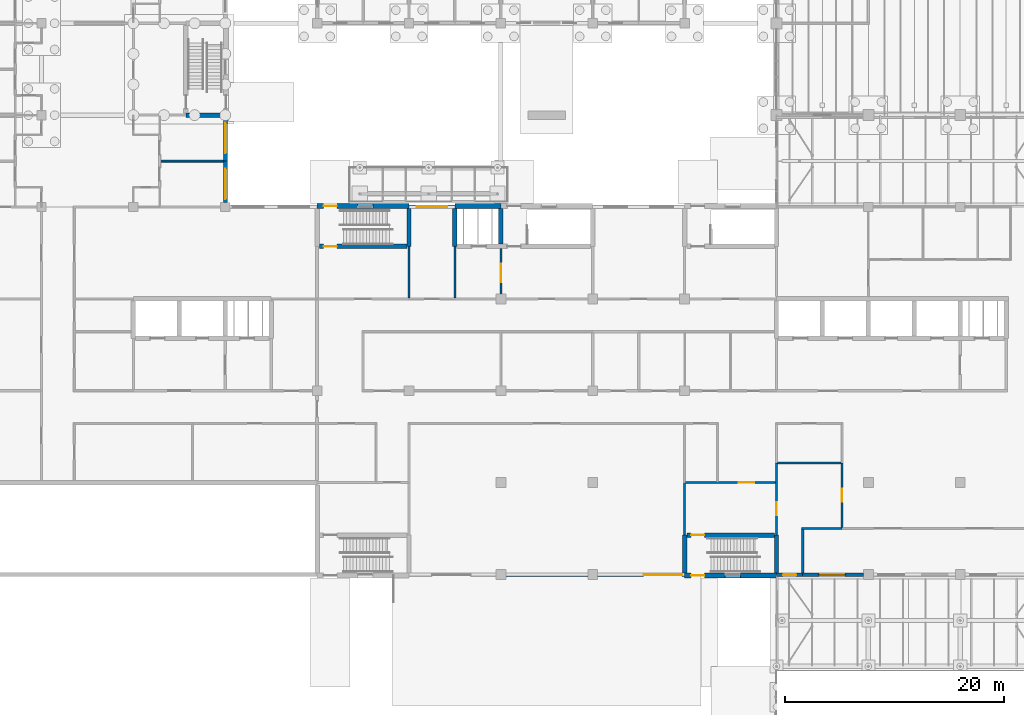
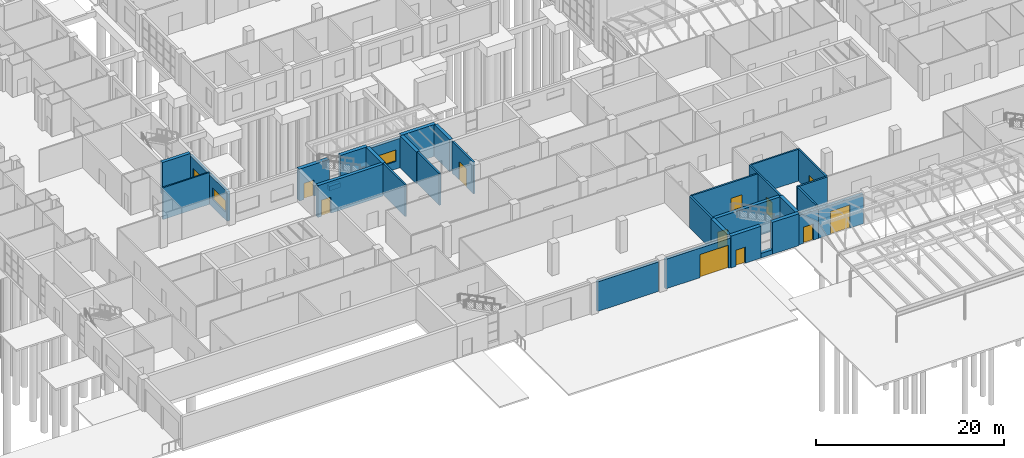
# One storey, part 97 of 138: 33 walls, 11 doors, 3 windows, 14 openings.
"""IFC4 building model written with IfcOpenShell, lengths in metres."""

from ifc_helpers import new_model, si_unit, direction, frame, frame_2d, origin, place, context, subcontext, project, spatial, rectangle, extrude, material, layer, layer_set, type_object, element, fill, save


model = new_model("IFC4")

# Units and contexts
model_context = context("Model", 3, precision=1e-05, world=origin(), true_north=direction((0.0, 1.0)))
body_context = subcontext(model_context, "Body", "Model", "MODEL_VIEW")
ifc_project = project(units=[si_unit("LENGTHUNIT", "METRE"), si_unit("AREAUNIT", "SQUARE_METRE"), si_unit("VOLUMEUNIT", "CUBIC_METRE"), si_unit("PLANEANGLEUNIT", "RADIAN"), si_unit("MASSUNIT", "GRAM", prefix="KILO")], contexts=[model_context])

# Site, building, storey
site_placement = place(None, origin())
site = spatial("IfcSite", under=ifc_project, at=site_placement, CompositionType="ELEMENT")
building_placement = place(site_placement, origin())
building = spatial("IfcBuilding", under=site, at=building_placement, Name="Yavir Park General Hospital", CompositionType="ELEMENT")
storey_placement = place(building_placement, origin())
storey = spatial("IfcBuildingStorey", under=building, at=storey_placement, Name="L00", CompositionType="ELEMENT", Elevation=0.0)

# Walls
ifc_material_1 = material(Name="Double-leaf gypsum board acoustic partition on staggered studs")
ifc_layer_1 = layer(ifc_material_1, 0.175048828125)
ifc_layer_set_1 = layer_set([ifc_layer_1], Name="Double-leaf gypsum board acoustic partition on staggered studs")
wall_type_1 = type_object("IfcWallType", Name="Acoustic partition 175", PredefinedType="PARTITIONING", material=ifc_layer_set_1)
wall_1_placement = place(storey_placement, frame((19.28759765625, 37.800048828125, 0.0), z_axis=(0.0, 0.0, 1.0), x_axis=(1.0, 0.0, 0.0)))
element("IfcWall", 1, at=wall_1_placement, inside=storey, type_object=wall_type_1, Name="AP175 L00-100", PredefinedType="PARTITIONING", context=body_context, shape_type="SweptSolid", body=[
    extrude(rectangle(XDim=5.762451171875, YDim=0.175048828125, at=frame_2d((2.88134765625, 0.0))), origin(), (0.0, 0.0, 1.0), 4.139892578125),
])
ifc_material_2 = material(Name="Double gypsum board fire partition on steel studs", Category="steel")
ifc_layer_2 = layer(ifc_material_2, 0.199951171875)
ifc_layer_set_2 = layer_set([ifc_layer_2], Name="Double gypsum board fire partition on steel studs")
wall_type_2 = type_object("IfcWallType", Name="Fire-rated partition 200, EI 60", PredefinedType="PARTITIONING", material=ifc_layer_set_2)
wall_2_placement = place(storey_placement, frame((77.89990234375, 4.199951171875, 0.0), z_axis=(0.0, 0.0, 1.0), x_axis=(1.0, 0.0, 0.0)))
element("IfcWall", 2, at=wall_2_placement, inside=storey, type_object=wall_type_2, Name="FP20 L00-005", PredefinedType="PARTITIONING", context=body_context, shape_type="SweptSolid", body=[
    extrude(rectangle(XDim=3.7001953125, YDim=0.199951171875, at=frame_2d((1.85009765625, 0.0))), origin(), (0.0, 0.0, 1.0), 4.139892578125),
])

# Wall, opening, door
wall_3_placement = place(storey_placement, frame((67.300048828125, 8.39990234375, 0.0), z_axis=(0.0, 0.0, 1.0), x_axis=(1.0, 0.0, 0.0)))
wall_3 = element("IfcWall", 3, at=wall_3_placement, inside=storey, type_object=wall_type_2, Name="FP20 L00-010", PredefinedType="PARTITIONING", context=body_context, shape_type="SweptSolid", body=[
    extrude(rectangle(XDim=8.199951171875, YDim=0.199951171875, at=frame_2d((4.10009765625, 0.0))), origin(), (0.0, 0.0, 1.0), 4.139892578125),
])
opening_1_placement = place(wall_3_placement, frame((4.85009765625, 0.0, 0.0)))
opening_1 = element("IfcOpeningElement", 4, at=opening_1_placement, cuts=wall_3, Name="Opening L00.D009", PredefinedType="OPENING", context=body_context, shape_type="SweptSolid", body=[
    extrude(rectangle(XDim=1.39990234375, YDim=2.10009765625, at=frame_2d((0.699951171875, 1.050048828125))), frame((0.0, 0.10986328125, 0.0), z_axis=(0.0, -1.0, 0.0), x_axis=(1.0, 0.0, 0.0)), (0.0, 0.0, 1.0), 0.219970703125),
])
ifc_material_3 = material(Name="Steel frame, fire-resisting leaves with vision panels", Category="steel")
door_type_1 = type_object("IfcDoorType", Name="Double fire door with vision panels 1400 x 2100, EI 60", OperationType="DOUBLE_DOOR_SINGLE_SWING", PredefinedType="DOOR", material=ifc_material_3)
door_1_placement = place(opening_1_placement, origin())
door_1 = element("IfcDoor", 5, at=door_1_placement, inside=storey, type_object=door_type_1, Name="L00.D009", OperationType="SINGLE_SWING_RIGHT", OverallHeight=2.10009765625, OverallWidth=1.39990234375, PredefinedType="DOOR", context=body_context, shape_type="SweptSolid", body=[
    extrude(rectangle(XDim=1.39990234375, YDim=2.10009765625, at=frame_2d((0.699951171875, 1.050048828125))), frame((0.0, 0.030029296875, 0.0), z_axis=(0.0, -1.0, 0.0), x_axis=(1.0, 0.0, 0.0)), (0.0, 0.0, 1.0), 0.06005859375),
])
fill(opening_1, door_1)

# Walls
wall_4_placement = place(storey_placement, frame((75.699951171875, 10.199951171875, 0.0), z_axis=(0.0, 0.0, 1.0), x_axis=(1.0, 0.0, 0.0)))
element("IfcWall", 6, at=wall_4_placement, inside=storey, type_object=wall_type_2, Name="FP20 L00-023", PredefinedType="PARTITIONING", context=body_context, shape_type="SweptSolid", body=[
    extrude(rectangle(XDim=5.800048828125, YDim=0.199951171875, at=frame_2d((2.89990234375, 0.0))), origin(), (0.0, 0.0, 1.0), 4.139892578125),
])
for number, where, z_axis, x_axis, name in (
    (7, (42.0, 25.300048828125, 0.0), (0.0, 0.0, 1.0), (0.0, 1.0, 0.0), "FP20 L00-358"),
    (8, (46.199951171875, 25.300048828125, 0.0), (0.0, 0.0, 1.0), (0.0, 1.0, 0.0), "FP20 L00-364"),
):
    element("IfcWall", number, at=place(storey_placement, frame(where, z_axis=z_axis, x_axis=x_axis)), inside=storey, type_object=wall_type_2, Name=name, PredefinedType="PARTITIONING", context=body_context, shape_type="SweptSolid", body=[
        extrude(rectangle(XDim=4.699951171875, YDim=0.199951171875, at=frame_2d((2.35009765625, 0.0))), origin(), (0.0, 0.0, 1.0), 4.139892578125),
    ])

# Wall, opening, door
wall_5_placement = place(storey_placement, frame((50.39990234375, 25.300048828125, 0.0), z_axis=(0.0, 0.0, 1.0), x_axis=(0.0, 1.0, 0.0)))
wall_5 = element("IfcWall", 9, at=wall_5_placement, inside=storey, type_object=wall_type_2, Name="FP20 L00-369", PredefinedType="PARTITIONING", context=body_context, shape_type="SweptSolid", body=[
    extrude(rectangle(XDim=4.5, YDim=0.199951171875, at=frame_2d((2.25, 0.0))), origin(), (0.0, 0.0, 1.0), 4.139892578125),
])
opening_2_placement = place(wall_5_placement, frame((1.39990234375, 0.0, 0.0)))
opening_2 = element("IfcOpeningElement", 10, at=opening_2_placement, cuts=wall_5, Name="Opening L00.D195", PredefinedType="OPENING", context=body_context, shape_type="SweptSolid", body=[
    extrude(rectangle(XDim=1.699951171875, YDim=2.39990234375, at=frame_2d((0.85009765625, 1.199951171875))), frame((0.0, 0.10986328125, 0.0), z_axis=(0.0, -1.0, 0.0), x_axis=(1.0, 0.0, 0.0)), (0.0, 0.0, 1.0), 0.219970703125),
])
ifc_material_4 = material(Name="Steel frame, fire-resisting timber leaves", Category="steel")
door_type_2 = type_object("IfcDoorType", Name="Double fire door 1700 x 2400, EI 60", OperationType="DOUBLE_DOOR_SINGLE_SWING", PredefinedType="DOOR", material=ifc_material_4)
door_2_placement = place(opening_2_placement, origin())
door_2 = element("IfcDoor", 11, at=door_2_placement, inside=storey, type_object=door_type_2, Name="L00.D195", OperationType="SINGLE_SWING_LEFT", OverallHeight=2.39990234375, OverallWidth=1.699951171875, PredefinedType="DOOR", context=body_context, shape_type="SweptSolid", body=[
    extrude(rectangle(XDim=1.699951171875, YDim=2.39990234375, at=frame_2d((0.85009765625, 1.199951171875))), frame((0.0, 0.02490234375, 0.0), z_axis=(0.0, -1.0, 0.0), x_axis=(1.0, 0.0, 0.0)), (0.0, 0.0, 1.0), 0.050048828125),
])
fill(opening_2, door_2)

# Wall
wall_6_placement = place(storey_placement, frame((67.199951171875, 3.60009765625, 0.0), z_axis=(0.0, 0.0, 1.0), x_axis=(0.0, 1.0, 0.0)))
element("IfcWall", 12, at=wall_6_placement, inside=storey, type_object=wall_type_2, Name="FP20 L00-384", PredefinedType="PARTITIONING", context=body_context, shape_type="SweptSolid", body=[
    extrude(rectangle(XDim=4.7998046875, YDim=0.199951171875, at=frame_2d((2.39990234375, 0.0))), origin(), (0.0, 0.0, 1.0), 4.139892578125),
])

# Wall, opening, door
wall_7_placement = place(storey_placement, frame((75.60009765625, 3.60009765625, 0.0), z_axis=(0.0, 0.0, 1.0), x_axis=(0.0, 1.0, 0.0)))
wall_7 = element("IfcWall", 13, at=wall_7_placement, inside=storey, type_object=wall_type_2, Name="FP20 L00-393", PredefinedType="PARTITIONING", context=body_context, shape_type="SweptSolid", body=[
    extrude(rectangle(XDim=6.599853515625, YDim=0.199951171875, at=frame_2d((3.2998046875, 0.0))), origin(), (0.0, 0.0, 1.0), 4.139892578125),
])
opening_3_placement = place(wall_7_placement, frame((1.800048828125, 0.0, 0.0)))
opening_3 = element("IfcOpeningElement", 14, at=opening_3_placement, cuts=wall_7, Name="Opening L00.D197", PredefinedType="OPENING", context=body_context, shape_type="SweptSolid", body=[
    extrude(rectangle(XDim=1.199951171875, YDim=2.10009765625, at=frame_2d((0.60009765625, 1.050048828125))), frame((0.0, 0.10986328125, 0.0), z_axis=(0.0, -1.0, 0.0), x_axis=(1.0, 0.0, 0.0)), (0.0, 0.0, 1.0), 0.219970703125),
])
ifc_material_5 = material(Name="Steel frame, fire-resisting timber leaf", Category="steel")
door_type_3 = type_object("IfcDoorType", Name="Fire door 1200 x 2100, EI 60", OperationType="SINGLE_SWING_LEFT", PredefinedType="DOOR", material=ifc_material_5)
door_3_placement = place(opening_3_placement, origin())
door_3 = element("IfcDoor", 15, at=door_3_placement, inside=storey, type_object=door_type_3, Name="L00.D197", OperationType="SINGLE_SWING_LEFT", OverallHeight=2.10009765625, OverallWidth=1.199951171875, PredefinedType="DOOR", context=body_context, shape_type="SweptSolid", body=[
    extrude(rectangle(XDim=1.199951171875, YDim=2.10009765625, at=frame_2d((0.60009765625, 1.050048828125))), frame((0.0, 0.02490234375, 0.0), z_axis=(0.0, -1.0, 0.0), x_axis=(1.0, 0.0, 0.0)), (0.0, 0.0, 1.0), 0.050048828125),
])
fill(opening_3, door_3)

# Wall
wall_8_placement = place(storey_placement, frame((78.0, 0.14990234375, 0.0), z_axis=(0.0, 0.0, 1.0), x_axis=(0.0, 1.0, 0.0)))
element("IfcWall", 16, at=wall_8_placement, inside=storey, type_object=wall_type_2, Name="FP20 L00-400", PredefinedType="PARTITIONING", context=body_context, shape_type="SweptSolid", body=[
    extrude(rectangle(XDim=3.9501953125, YDim=0.199951171875, at=frame_2d((1.97509765625, 0.0))), origin(), (0.0, 0.0, 1.0), 4.139892578125),
])

# Wall, opening, door
wall_9_placement = place(storey_placement, frame((81.60009765625, 4.300048828125, 0.0), z_axis=(0.0, 0.0, 1.0), x_axis=(0.0, 1.0, 0.0)))
wall_9 = element("IfcWall", 17, at=wall_9_placement, inside=storey, type_object=wall_type_2, Name="FP20 L00-402", PredefinedType="PARTITIONING", context=body_context, shape_type="SweptSolid", body=[
    extrude(rectangle(XDim=5.89990234375, YDim=0.199951171875, at=frame_2d((2.949951171875, 0.0))), origin(), (0.0, 0.0, 1.0), 4.139892578125),
])
opening_4_placement = place(wall_9_placement, frame((2.35009765625, 0.0, 0.0)))
opening_4 = element("IfcOpeningElement", 18, at=opening_4_placement, cuts=wall_9, Name="Opening L00.D200", PredefinedType="OPENING", context=body_context, shape_type="SweptSolid", body=[
    extrude(rectangle(XDim=1.199951171875, YDim=2.10009765625, at=frame_2d((0.60009765625, 1.050048828125))), frame((0.0, 0.10986328125, 0.0), z_axis=(0.0, -1.0, 0.0), x_axis=(1.0, 0.0, 0.0)), (0.0, 0.0, 1.0), 0.219970703125),
])
door_4_placement = place(opening_4_placement, origin())
door_4 = element("IfcDoor", 19, at=door_4_placement, inside=storey, type_object=door_type_3, Name="L00.D200", OperationType="SINGLE_SWING_LEFT", OverallHeight=2.10009765625, OverallWidth=1.199951171875, PredefinedType="DOOR", context=body_context, shape_type="SweptSolid", body=[
    extrude(rectangle(XDim=1.199951171875, YDim=2.10009765625, at=frame_2d((0.60009765625, 1.050048828125))), frame((0.0, 0.02490234375, 0.0), z_axis=(0.0, -1.0, 0.0), x_axis=(1.0, 0.0, 0.0)), (0.0, 0.0, 1.0), 0.050048828125),
])
fill(opening_4, door_4)

# Wall
ifc_material_6 = material(Name="Concrete C30/37 precast panel with 120 mm mineral wool insulation", Category="concrete")
ifc_layer_3 = layer(ifc_material_6, 0.35009765625)
ifc_layer_set_3 = layer_set([ifc_layer_3], Name="Concrete C30/37 precast panel with 120 mm mineral wool insulation")
wall_type_3 = type_object("IfcWallType", Name="Precast cladding panel podium wall 350, E 30", PredefinedType="SOLIDWALL", material=ifc_layer_set_3)
wall_10_placement = place(storey_placement, frame((50.85009765625, -0.02490234375, 0.0), z_axis=(0.0, 0.0, 1.0), x_axis=(1.0, 0.0, 0.0)))
element("IfcWall", 20, at=wall_10_placement, inside=storey, type_object=wall_type_3, Name="XW2 L00-005", PredefinedType="SOLIDWALL", context=body_context, shape_type="SweptSolid", body=[
    extrude(rectangle(XDim=7.5, YDim=0.35009765625, at=frame_2d((3.75, 0.0))), origin(), (0.0, 0.0, 1.0), 3.840087890625),
])

# Wall, opening, door
wall_11_placement = place(storey_placement, frame((59.25, -0.02490234375, 0.0), z_axis=(0.0, 0.0, 1.0), x_axis=(1.0, 0.0, 0.0)))
wall_11 = element("IfcWall", 21, at=wall_11_placement, inside=storey, type_object=wall_type_3, Name="XW2 L00-006", PredefinedType="SOLIDWALL", context=body_context, shape_type="SweptSolid", body=[
    extrude(rectangle(XDim=7.949951171875, YDim=0.35009765625, at=frame_2d((3.97509765625, 0.0))), origin(), (0.0, 0.0, 1.0), 3.840087890625),
])
opening_5_placement = place(wall_11_placement, frame((4.21240234375, 0.0, 0.0)))
opening_5 = element("IfcOpeningElement", 22, at=opening_5_placement, cuts=wall_11, Name="Opening L00.X03", PredefinedType="OPENING", context=body_context, shape_type="SweptSolid", body=[
    extrude(rectangle(XDim=3.5, YDim=3.0, at=frame_2d((1.75, 1.5))), frame((0.0, 0.18505859375, 0.0), z_axis=(0.0, -1.0, 0.0), x_axis=(1.0, 0.0, 0.0)), (0.0, 0.0, 1.0), 0.3701171875),
])
ifc_material_7 = material(Name="Insulated steel slat roller shutter", Category="steel")
door_type_4 = type_object("IfcDoorType", Name="Roller shutter gate 3500 x 3000", OperationType="ROLLINGUP", PredefinedType="GATE", material=ifc_material_7)
door_5_placement = place(opening_5_placement, frame((3.5, 0.0, 0.0), x_axis=(-1.0, 0.0, 0.0)))
door_5 = element("IfcDoor", 23, at=door_5_placement, inside=storey, type_object=door_type_4, Name="L00.X03", OperationType="ROLLINGUP", OverallHeight=3.0, OverallWidth=3.5, PredefinedType="GATE", context=body_context, shape_type="SweptSolid", body=[
    extrude(rectangle(XDim=3.5, YDim=3.0, at=frame_2d((1.75, 1.5))), frame((0.0, 0.02490234375, 0.0), z_axis=(0.0, -1.0, 0.0), x_axis=(1.0, 0.0, 0.0)), (0.0, 0.0, 1.0), 0.050048828125),
])
fill(opening_5, door_5)

wall_12_placement = place(storey_placement, frame((75.60009765625, -0.02490234375, 0.0), z_axis=(0.0, 0.0, 1.0), x_axis=(1.0, 0.0, 0.0)))
wall_12 = element("IfcWall", 24, at=wall_12_placement, inside=storey, type_object=wall_type_3, Name="XW2 L00-010", PredefinedType="SOLIDWALL", context=body_context, shape_type="SweptSolid", body=[
    extrude(rectangle(XDim=2.39990234375, YDim=0.35009765625, at=frame_2d((1.199951171875, 0.0))), origin(), (0.0, 0.0, 1.0), 3.840087890625),
])
opening_6_placement = place(wall_12_placement, frame((0.60009765625, 0.0, 0.0)))
opening_6 = element("IfcOpeningElement", 25, at=opening_6_placement, cuts=wall_12, Name="Opening L00.X05", PredefinedType="OPENING", context=body_context, shape_type="SweptSolid", body=[
    extrude(rectangle(XDim=1.199951171875, YDim=2.10009765625, at=frame_2d((0.60009765625, 1.050048828125))), frame((0.0, 0.18505859375, 0.0), z_axis=(0.0, -1.0, 0.0), x_axis=(1.0, 0.0, 0.0)), (0.0, 0.0, 1.0), 0.3701171875),
])
door_6_placement = place(opening_6_placement, frame((1.199951171875, 0.0, 0.0), x_axis=(-1.0, 0.0, 0.0)))
door_6 = element("IfcDoor", 26, at=door_6_placement, inside=storey, type_object=door_type_3, Name="L00.X05", OperationType="SINGLE_SWING_RIGHT", OverallHeight=2.10009765625, OverallWidth=1.199951171875, PredefinedType="DOOR", context=body_context, shape_type="SweptSolid", body=[
    extrude(rectangle(XDim=1.199951171875, YDim=2.10009765625, at=frame_2d((0.60009765625, 1.050048828125))), frame((0.0, 0.02490234375, 0.0), z_axis=(0.0, -1.0, 0.0), x_axis=(1.0, 0.0, 0.0)), (0.0, 0.0, 1.0), 0.050048828125),
])
fill(opening_6, door_6)

wall_13_placement = place(storey_placement, frame((78.0, -0.02490234375, 0.0), z_axis=(0.0, 0.0, 1.0), x_axis=(1.0, 0.0, 0.0)))
wall_13 = element("IfcWall", 27, at=wall_13_placement, inside=storey, type_object=wall_type_3, Name="XW2 L00-011", PredefinedType="SOLIDWALL", context=body_context, shape_type="SweptSolid", body=[
    extrude(rectangle(XDim=5.550048828125, YDim=0.35009765625, at=frame_2d((2.77490234375, 0.0))), origin(), (0.0, 0.0, 1.0), 3.840087890625),
])
opening_7_placement = place(wall_13_placement, frame((1.47509765625, 0.0, 0.0)))
opening_7 = element("IfcOpeningElement", 28, at=opening_7_placement, cuts=wall_13, Name="Opening L00.X06", PredefinedType="OPENING", context=body_context, shape_type="SweptSolid", body=[
    extrude(rectangle(XDim=2.39990234375, YDim=3.0, at=frame_2d((1.199951171875, 1.5))), frame((0.0, 0.18505859375, 0.0), z_axis=(0.0, -1.0, 0.0), x_axis=(1.0, 0.0, 0.0)), (0.0, 0.0, 1.0), 0.3701171875),
])
ifc_material_8 = material(Name="Aluminium frame, toughened glass leaves", Category="aluminium")
door_type_5 = type_object("IfcDoorType", Name="Automatic entrance sliding door 2400 x 3000", OperationType="DOUBLE_DOOR_SLIDING", PredefinedType="DOOR", material=ifc_material_8)
door_7_placement = place(opening_7_placement, frame((2.39990234375, 0.0, 0.0), x_axis=(-1.0, 0.0, 0.0)))
door_7 = element("IfcDoor", 29, at=door_7_placement, inside=storey, type_object=door_type_5, Name="L00.X06", OperationType="DOUBLE_DOOR_SLIDING", OverallHeight=3.0, OverallWidth=2.39990234375, PredefinedType="DOOR", context=body_context, shape_type="SweptSolid", body=[
    extrude(rectangle(XDim=2.39990234375, YDim=3.0, at=frame_2d((1.199951171875, 1.5))), frame((0.0, 0.06005859375, 0.0), z_axis=(0.0, -1.0, 0.0), x_axis=(1.0, 0.0, 0.0)), (0.0, 0.0, 1.0), 0.1201171875),
])
fill(opening_7, door_7)

# Wall, opening, window
wall_14_placement = place(storey_placement, frame((42.0, 33.625, 0.0), z_axis=(0.0, 0.0, 1.0), x_axis=(1.0, 0.0, 0.0)))
wall_14 = element("IfcWall", 30, at=wall_14_placement, inside=storey, type_object=wall_type_3, Name="XW2 L00-036", PredefinedType="SOLIDWALL", context=body_context, shape_type="SweptSolid", body=[
    extrude(rectangle(XDim=4.199951171875, YDim=0.35009765625, at=frame_2d((2.10009765625, 0.0))), origin(), (0.0, 0.0, 1.0), 3.840087890625),
])
opening_8_placement = place(wall_14_placement, frame((0.699951171875, 0.0, 1.0)))
opening_8 = element("IfcOpeningElement", 31, at=opening_8_placement, cuts=wall_14, Name="Opening WRB2", PredefinedType="OPENING", context=body_context, shape_type="SweptSolid", body=[
    extrude(rectangle(XDim=2.800048828125, YDim=1.5, at=frame_2d((1.39990234375, 0.75))), frame((0.0, 0.18505859375, 0.0), z_axis=(0.0, -1.0, 0.0), x_axis=(1.0, 0.0, 0.0)), (0.0, 0.0, 1.0), 0.3701171875),
])
ifc_material_9 = material(Name="Aluminium frame, double glazed unit", Category="aluminium")
window_type = type_object("IfcWindowType", Name="Tall ribbon window 2800 x 1500", PartitioningType="DOUBLE_PANEL_VERTICAL", PredefinedType="WINDOW", material=ifc_material_9)
window_1_placement = place(opening_8_placement, origin())
window_1 = element("IfcWindow", 32, at=window_1_placement, inside=storey, type_object=window_type, Name="WRB2 L00-008", OverallHeight=1.5, OverallWidth=2.800048828125, PartitioningType="DOUBLE_PANEL_VERTICAL", PredefinedType="WINDOW", context=body_context, shape_type="SweptSolid", body=[
    extrude(rectangle(XDim=2.800048828125, YDim=1.5, at=frame_2d((1.39990234375, 0.75))), frame((0.0, 0.030029296875, 0.0), z_axis=(0.0, -1.0, 0.0), x_axis=(1.0, 0.0, 0.0)), (0.0, 0.0, 1.0), 0.06005859375),
])
fill(opening_8, window_1)

wall_15_placement = place(storey_placement, frame((25.22509765625, 34.02490234375, 0.0), z_axis=(0.0, 0.0, 1.0), x_axis=(0.0, 1.0, 0.0)))
wall_15 = element("IfcWall", 33, at=wall_15_placement, inside=storey, type_object=wall_type_3, Name="XW2 L00-116", PredefinedType="SOLIDWALL", context=body_context, shape_type="SweptSolid", body=[
    extrude(rectangle(XDim=3.775146484375, YDim=0.35009765625, at=frame_2d((1.8876953125, 0.0))), origin(), (0.0, 0.0, 1.0), 3.840087890625),
])
opening_9_placement = place(wall_15_placement, frame((0.27490234375, 0.0, 1.0)))
opening_9 = element("IfcOpeningElement", 34, at=opening_9_placement, cuts=wall_15, Name="Opening WRB2", PredefinedType="OPENING", context=body_context, shape_type="SweptSolid", body=[
    extrude(rectangle(XDim=2.800048828125, YDim=1.5, at=frame_2d((1.39990234375, 0.75))), frame((0.0, 0.18505859375, 0.0), z_axis=(0.0, -1.0, 0.0), x_axis=(1.0, 0.0, 0.0)), (0.0, 0.0, 1.0), 0.3701171875),
])
window_2_placement = place(opening_9_placement, origin())
window_2 = element("IfcWindow", 35, at=window_2_placement, inside=storey, type_object=window_type, Name="WRB2 L00-048", OverallHeight=1.5, OverallWidth=2.800048828125, PartitioningType="DOUBLE_PANEL_VERTICAL", PredefinedType="WINDOW", context=body_context, shape_type="SweptSolid", body=[
    extrude(rectangle(XDim=2.800048828125, YDim=1.5, at=frame_2d((1.39990234375, 0.75))), frame((0.0, 0.030029296875, 0.0), z_axis=(0.0, -1.0, 0.0), x_axis=(1.0, 0.0, 0.0)), (0.0, 0.0, 1.0), 0.06005859375),
])
fill(opening_9, window_2)

wall_16_placement = place(storey_placement, frame((25.22509765625, 37.800048828125, 0.0), z_axis=(0.0, 0.0, 1.0), x_axis=(0.0, 1.0, 0.0)))
wall_16 = element("IfcWall", 36, at=wall_16_placement, inside=storey, type_object=wall_type_3, Name="XW2 L00-117", PredefinedType="SOLIDWALL", context=body_context, shape_type="SweptSolid", body=[
    extrude(rectangle(XDim=4.199951171875, YDim=0.35009765625, at=frame_2d((2.10009765625, 0.0))), origin(), (0.0, 0.0, 1.0), 3.840087890625),
])
opening_10_placement = place(wall_16_placement, frame((0.699951171875, 0.0, 1.0)))
opening_10 = element("IfcOpeningElement", 37, at=opening_10_placement, cuts=wall_16, Name="Opening WRB2", PredefinedType="OPENING", context=body_context, shape_type="SweptSolid", body=[
    extrude(rectangle(XDim=2.800048828125, YDim=1.5, at=frame_2d((1.39990234375, 0.75))), frame((0.0, 0.18505859375, 0.0), z_axis=(0.0, -1.0, 0.0), x_axis=(1.0, 0.0, 0.0)), (0.0, 0.0, 1.0), 0.3701171875),
])
window_3_placement = place(opening_10_placement, origin())
window_3 = element("IfcWindow", 38, at=window_3_placement, inside=storey, type_object=window_type, Name="WRB2 L00-049", OverallHeight=1.5, OverallWidth=2.800048828125, PartitioningType="DOUBLE_PANEL_VERTICAL", PredefinedType="WINDOW", context=body_context, shape_type="SweptSolid", body=[
    extrude(rectangle(XDim=2.800048828125, YDim=1.5, at=frame_2d((1.39990234375, 0.75))), frame((0.0, 0.030029296875, 0.0), z_axis=(0.0, -1.0, 0.0), x_axis=(1.0, 0.0, 0.0)), (0.0, 0.0, 1.0), 0.06005859375),
])
fill(opening_10, window_3)

# Wall, opening, door
ifc_material_10 = material(Name="Concrete C35/45", Category="concrete")
ifc_layer_4 = layer(ifc_material_10, 0.39990234375)
ifc_layer_set_4 = layer_set([ifc_layer_4], Name="Concrete C35/45")
wall_type_4 = type_object("IfcWallType", Name="Reinforced concrete core wall 400, REI 150", PredefinedType="SHEAR", material=ifc_layer_set_4)
wall_17_placement = place(storey_placement, frame((67.39990234375, 3.60009765625, 0.0), z_axis=(0.0, 0.0, 1.0), x_axis=(1.0, 0.0, 0.0)))
wall_17 = element("IfcWall", 39, at=wall_17_placement, inside=storey, type_object=wall_type_4, Name="CW40 L00-002", PredefinedType="SHEAR", context=body_context, shape_type="SweptSolid", body=[
    extrude(rectangle(XDim=8.0, YDim=0.39990234375, at=frame_2d((4.0, 0.0))), origin(), (0.0, 0.0, 1.0), 4.139892578125),
])
opening_11_placement = place(wall_17_placement, frame((0.39990234375, 0.0, 0.0)))
opening_11 = element("IfcOpeningElement", 40, at=opening_11_placement, cuts=wall_17, Name="Opening L00.D002", PredefinedType="OPENING", context=body_context, shape_type="SweptSolid", body=[
    extrude(rectangle(XDim=1.199951171875, YDim=2.10009765625, at=frame_2d((0.60009765625, 1.050048828125))), frame((0.0, 0.2099609375, 0.0), z_axis=(0.0, -1.0, 0.0), x_axis=(1.0, 0.0, 0.0)), (0.0, 0.0, 1.0), 0.419921875),
])
door_8_placement = place(opening_11_placement, origin())
door_8 = element("IfcDoor", 41, at=door_8_placement, inside=storey, type_object=door_type_3, Name="L00.D002", OperationType="SINGLE_SWING_RIGHT", OverallHeight=2.10009765625, OverallWidth=1.199951171875, PredefinedType="DOOR", context=body_context, shape_type="SweptSolid", body=[
    extrude(rectangle(XDim=1.199951171875, YDim=2.10009765625, at=frame_2d((0.60009765625, 1.050048828125))), frame((0.0, 0.02490234375, 0.0), z_axis=(0.0, -1.0, 0.0), x_axis=(1.0, 0.0, 0.0)), (0.0, 0.0, 1.0), 0.050048828125),
])
fill(opening_11, door_8)

wall_18_placement = place(storey_placement, frame((33.800048828125, 30.0, 0.0), z_axis=(0.0, 0.0, 1.0), x_axis=(1.0, 0.0, 0.0)))
wall_18 = element("IfcWall", 42, at=wall_18_placement, inside=storey, type_object=wall_type_4, Name="CW40 L00-079", PredefinedType="SHEAR", context=body_context, shape_type="SweptSolid", body=[
    extrude(rectangle(XDim=8.0, YDim=0.39990234375, at=frame_2d((4.0, 0.0))), origin(), (0.0, 0.0, 1.0), 4.139892578125),
])
opening_12_placement = place(wall_18_placement, frame((0.39990234375, 0.0, 0.0)))
opening_12 = element("IfcOpeningElement", 43, at=opening_12_placement, cuts=wall_18, Name="Opening L00.D075", PredefinedType="OPENING", context=body_context, shape_type="SweptSolid", body=[
    extrude(rectangle(XDim=1.199951171875, YDim=2.10009765625, at=frame_2d((0.60009765625, 1.050048828125))), frame((0.0, 0.2099609375, 0.0), z_axis=(0.0, -1.0, 0.0), x_axis=(1.0, 0.0, 0.0)), (0.0, 0.0, 1.0), 0.419921875),
])
door_9_placement = place(opening_12_placement, origin())
door_9 = element("IfcDoor", 44, at=door_9_placement, inside=storey, type_object=door_type_3, Name="L00.D075", OperationType="SINGLE_SWING_LEFT", OverallHeight=2.10009765625, OverallWidth=1.199951171875, PredefinedType="DOOR", context=body_context, shape_type="SweptSolid", body=[
    extrude(rectangle(XDim=1.199951171875, YDim=2.10009765625, at=frame_2d((0.60009765625, 1.050048828125))), frame((0.0, 0.02490234375, 0.0), z_axis=(0.0, -1.0, 0.0), x_axis=(1.0, 0.0, 0.0)), (0.0, 0.0, 1.0), 0.050048828125),
])
fill(opening_12, door_9)

# Walls
for number, where, z_axis, x_axis, name in (
    (45, (21.60009765625, 42.0, 0.0), (0.0, 0.0, 1.0), (1.0, 0.0, 0.0), "CW40 L00-109"),
    (46, (42.0, 30.0, 0.0), (0.0, 0.0, 1.0), (0.0, 1.0, 0.0), "CW40 L00-359"),
    (47, (46.199951171875, 30.0, 0.0), (0.0, 0.0, 1.0), (0.0, 1.0, 0.0), "CW40 L00-365"),
):
    element("IfcWall", number, at=place(storey_placement, frame(where, z_axis=z_axis, x_axis=x_axis)), inside=storey, type_object=wall_type_4, Name=name, PredefinedType="SHEAR", context=body_context, shape_type="SweptSolid", body=[
        extrude(rectangle(XDim=3.449951171875, YDim=0.39990234375, at=frame_2d((1.72509765625, 0.0))), origin(), (0.0, 0.0, 1.0), 4.139892578125),
    ])
wall_19_placement = place(storey_placement, frame((50.39990234375, 30.199951171875, 0.0), z_axis=(0.0, 0.0, 1.0), x_axis=(0.0, 1.0, 0.0)))
element("IfcWall", 48, at=wall_19_placement, inside=storey, type_object=wall_type_4, Name="CW40 L00-370", PredefinedType="SHEAR", context=body_context, shape_type="SweptSolid", body=[
    extrude(rectangle(XDim=3.25, YDim=0.39990234375, at=frame_2d((1.625, 0.0))), origin(), (0.0, 0.0, 1.0), 4.139892578125),
])
for number, where, z_axis, x_axis, name in (
    (49, (67.199951171875, 0.14990234375, 0.0), (0.0, 0.0, 1.0), (0.0, 1.0, 0.0), "CW40 L00-383"),
    (50, (75.60009765625, 0.14990234375, 0.0), (0.0, 0.0, 1.0), (0.0, 1.0, 0.0), "CW40 L00-392"),
):
    element("IfcWall", number, at=place(storey_placement, frame(where, z_axis=z_axis, x_axis=x_axis)), inside=storey, type_object=wall_type_4, Name=name, PredefinedType="SHEAR", context=body_context, shape_type="SweptSolid", body=[
        extrude(rectangle(XDim=3.4501953125, YDim=0.39990234375, at=frame_2d((1.72509765625, 0.0))), origin(), (0.0, 0.0, 1.0), 4.139892578125),
    ])

# Wall, opening, door
ifc_material_11 = material(Name="Concrete C30/37 precast panel with 150 mm mineral wool insulation", Category="concrete")
ifc_layer_5 = layer(ifc_material_11, 0.449951171875)
ifc_layer_set_5 = layer_set([ifc_layer_5], Name="Concrete C30/37 precast panel with 150 mm mineral wool insulation")
wall_type_5 = type_object("IfcWallType", Name="Stair enclosure wall 450, REI 150", PredefinedType="SOLIDWALL", material=ifc_layer_set_5)
wall_20_placement = place(storey_placement, frame((67.199951171875, -0.074951171875, 0.0), z_axis=(0.0, 0.0, 1.0), x_axis=(1.0, 0.0, 0.0)))
wall_20 = element("IfcWall", 51, at=wall_20_placement, inside=storey, type_object=wall_type_5, Name="XW6 L00-007", PredefinedType="SOLIDWALL", context=body_context, shape_type="SweptSolid", body=[
    extrude(rectangle(XDim=3.699951171875, YDim=0.449951171875, at=frame_2d((1.85009765625, 0.0))), origin(), (0.0, 0.0, 1.0), 4.139892578125),
])
opening_13_placement = place(wall_20_placement, frame((0.60009765625, 0.0, 0.0)))
opening_13 = element("IfcOpeningElement", 52, at=opening_13_placement, cuts=wall_20, Name="Opening L00.X04", PredefinedType="OPENING", context=body_context, shape_type="SweptSolid", body=[
    extrude(rectangle(XDim=1.199951171875, YDim=2.10009765625, at=frame_2d((0.60009765625, 1.050048828125))), frame((0.0, 0.23486328125, 0.0), z_axis=(0.0, -1.0, 0.0), x_axis=(1.0, 0.0, 0.0)), (0.0, 0.0, 1.0), 0.469970703125),
])
ifc_material_12 = material(Name="Hollow metal frame, solid-core timber leaf", Category="wood")
door_type_6 = type_object("IfcDoorType", Name="Single swing door 1200 x 2100", OperationType="SINGLE_SWING_LEFT", PredefinedType="DOOR", material=ifc_material_12)
door_10_placement = place(opening_13_placement, frame((1.199951171875, 0.0, 0.0), x_axis=(-1.0, 0.0, 0.0)))
door_10 = element("IfcDoor", 53, at=door_10_placement, inside=storey, type_object=door_type_6, Name="L00.X04", OperationType="SINGLE_SWING_LEFT", OverallHeight=2.10009765625, OverallWidth=1.199951171875, PredefinedType="DOOR", context=body_context, shape_type="SweptSolid", body=[
    extrude(rectangle(XDim=1.199951171875, YDim=2.10009765625, at=frame_2d((0.60009765625, 1.050048828125))), frame((0.0, 0.02490234375, 0.0), z_axis=(0.0, -1.0, 0.0), x_axis=(1.0, 0.0, 0.0)), (0.0, 0.0, 1.0), 0.050048828125),
])
fill(opening_13, door_10)

# Walls
wall_21_placement = place(storey_placement, frame((72.300048828125, -0.074951171875, 0.0), z_axis=(0.0, 0.0, 1.0), x_axis=(1.0, 0.0, 0.0)))
element("IfcWall", 54, at=wall_21_placement, inside=storey, type_object=wall_type_5, Name="XW6 L00-008", PredefinedType="SOLIDWALL", context=body_context, shape_type="SweptSolid", body=[
    extrude(rectangle(XDim=3.300048828125, YDim=0.449951171875, at=frame_2d((1.64990234375, 0.0))), origin(), (0.0, 0.0, 1.0), 4.139892578125),
])
wall_22_placement = place(storey_placement, frame((70.89990234375, -0.074951171875, 0.0), z_axis=(0.0, 0.0, 1.0), x_axis=(1.0, 0.0, 0.0)))
element("IfcWall", 55, at=wall_22_placement, inside=storey, type_object=wall_type_5, Name="XW6 L00-009", PredefinedType="SOLIDWALL", context=body_context, shape_type="SweptSolid", body=[
    extrude(rectangle(XDim=1.400146484375, YDim=0.449951171875, at=frame_2d((0.7001953125, 0.0))), origin(), (0.0, 0.0, 1.0), 0.60009765625),
])

# Wall, opening, door
wall_23_placement = place(storey_placement, frame((33.60009765625, 33.675048828125, 0.0), z_axis=(0.0, 0.0, 1.0), x_axis=(1.0, 0.0, 0.0)))
wall_23 = element("IfcWall", 56, at=wall_23_placement, inside=storey, type_object=wall_type_5, Name="XW6 L00-033", PredefinedType="SOLIDWALL", context=body_context, shape_type="SweptSolid", body=[
    extrude(rectangle(XDim=3.699951171875, YDim=0.449951171875, at=frame_2d((1.85009765625, 0.0))), origin(), (0.0, 0.0, 1.0), 4.139892578125),
])
opening_14_placement = place(wall_23_placement, frame((0.60009765625, 0.0, 0.0)))
opening_14 = element("IfcOpeningElement", 57, at=opening_14_placement, cuts=wall_23, Name="Opening L00.X10", PredefinedType="OPENING", context=body_context, shape_type="SweptSolid", body=[
    extrude(rectangle(XDim=1.199951171875, YDim=2.10009765625, at=frame_2d((0.60009765625, 1.050048828125))), frame((0.0, 0.23486328125, 0.0), z_axis=(0.0, -1.0, 0.0), x_axis=(1.0, 0.0, 0.0)), (0.0, 0.0, 1.0), 0.469970703125),
])
door_11_placement = place(opening_14_placement, origin())
door_11 = element("IfcDoor", 58, at=door_11_placement, inside=storey, type_object=door_type_6, Name="L00.X10", OperationType="SINGLE_SWING_RIGHT", OverallHeight=2.10009765625, OverallWidth=1.199951171875, PredefinedType="DOOR", context=body_context, shape_type="SweptSolid", body=[
    extrude(rectangle(XDim=1.199951171875, YDim=2.10009765625, at=frame_2d((0.60009765625, 1.050048828125))), frame((0.0, 0.02490234375, 0.0), z_axis=(0.0, -1.0, 0.0), x_axis=(1.0, 0.0, 0.0)), (0.0, 0.0, 1.0), 0.050048828125),
])
fill(opening_14, door_11)

# Walls
wall_24_placement = place(storey_placement, frame((38.699951171875, 33.675048828125, 0.0), z_axis=(0.0, 0.0, 1.0), x_axis=(1.0, 0.0, 0.0)))
element("IfcWall", 59, at=wall_24_placement, inside=storey, type_object=wall_type_5, Name="XW6 L00-034", PredefinedType="SOLIDWALL", context=body_context, shape_type="SweptSolid", body=[
    extrude(rectangle(XDim=3.300048828125, YDim=0.449951171875, at=frame_2d((1.64990234375, 0.0))), origin(), (0.0, 0.0, 1.0), 4.139892578125),
])
wall_25_placement = place(storey_placement, frame((37.300048828125, 33.675048828125, 0.0), z_axis=(0.0, 0.0, 1.0), x_axis=(1.0, 0.0, 0.0)))
element("IfcWall", 60, at=wall_25_placement, inside=storey, type_object=wall_type_5, Name="XW6 L00-035", PredefinedType="SOLIDWALL", context=body_context, shape_type="SweptSolid", body=[
    extrude(rectangle(XDim=1.39990234375, YDim=0.449951171875, at=frame_2d((0.699951171875, 0.0))), origin(), (0.0, 0.0, 1.0), 0.60009765625),
])
wall_26_placement = place(storey_placement, frame((46.199951171875, 33.675048828125, 0.0), z_axis=(0.0, 0.0, 1.0), x_axis=(1.0, 0.0, 0.0)))
element("IfcWall", 61, at=wall_26_placement, inside=storey, type_object=wall_type_5, Name="XW6 L00-037", PredefinedType="SOLIDWALL", context=body_context, shape_type="SweptSolid", body=[
    extrude(rectangle(XDim=4.199951171875, YDim=0.449951171875, at=frame_2d((2.10009765625, 0.0))), origin(), (0.0, 0.0, 1.0), 4.139892578125),
])

save(model, "model.ifc")
